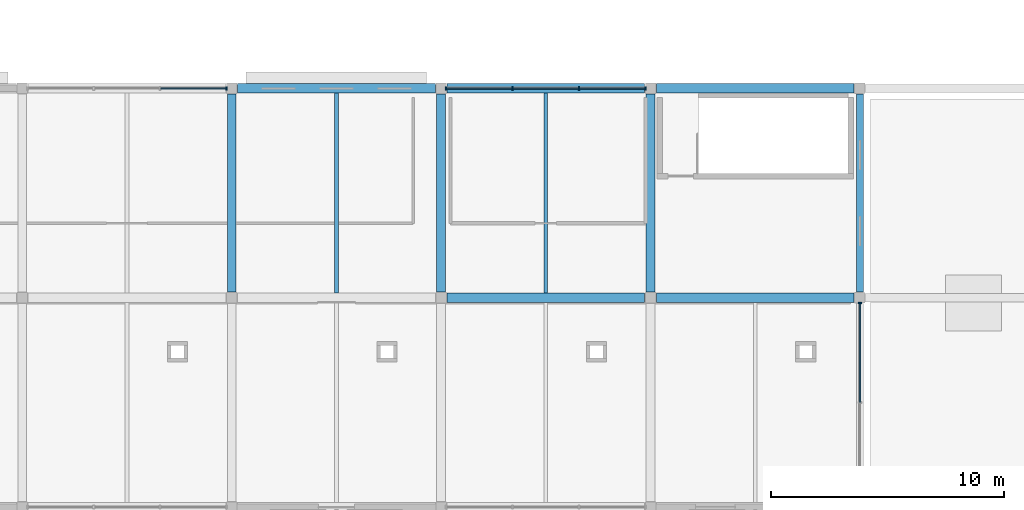
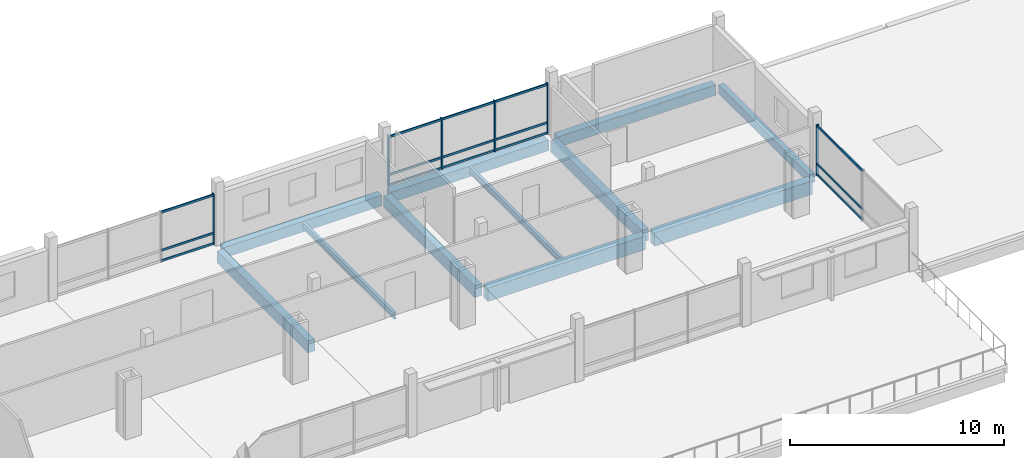
# One storey, part 75 of 163: 21 members, 11 beams, 3 elements without a shape of their own.
"""IFC4 building model written with IfcOpenShell, lengths in metres."""

import ifcopenshell
import ifcopenshell.guid

model = None  # the IFC model being written
_history = None  # IfcOwnerHistory: only IFC2X3 demands one
_inside = {}  # id of a spatial element -> (the spatial element, [elements in it])
_under = {}  # id of a project, library or spatial element -> (it, [spatial elements below it])
_declared = {}  # id of a project -> (the project, [libraries it declares])
_typed = {}  # id of a type object -> (the type object, [elements of that type])
_made_of = {}  # id of a material, layer set ... -> (it, [elements and type objects made of it])


def new_model(schema):
    """Start an empty IFC model of exactly this schema.

    Asked for "IFC4X3", IfcOpenShell would pick the latest addendum, in which some entities
    have other attributes; the version numbers below select the first issue.
    IFC2X3 requires an IfcOwnerHistory on every rooted entity: one is made here for all.
    """
    global model, _history
    if schema == "IFC4X3":
        model = ifcopenshell.file(schema_version=(4, 3, 0, 0))
    else:
        model = ifcopenshell.file(schema=schema)
    _inside.clear()
    _under.clear()
    _declared.clear()
    _typed.clear()
    _made_of.clear()
    _history = None
    if model.schema == "IFC2X3":
        org = make("IfcOrganization", Name="unknown")
        user = make(
            "IfcPersonAndOrganization",
            ThePerson=make("IfcPerson", FamilyName="unknown"),
            TheOrganization=org,
        )
        app = make(
            "IfcApplication",
            ApplicationDeveloper=org,
            Version="unknown",
            ApplicationFullName="unknown",
            ApplicationIdentifier="unknown",
        )
        _history = make(
            "IfcOwnerHistory",
            OwningUser=user,
            OwningApplication=app,
            ChangeAction="ADDED",
            CreationDate=0,
        )
    return model


def make(cls, **values):
    """One entity of the class cls with the attributes given. An attribute that is None is left unset."""
    return model.create_entity(
        cls, **{name: value for name, value in values.items() if value is not None}
    )


def rooted(cls, **values):
    """An entity with a GlobalId (a new one), such as an element, a storey or a relation."""
    return make(cls, GlobalId=ifcopenshell.guid.new(), OwnerHistory=_history, **values)


def si_unit(unit_type, name, prefix=None):
    """IfcSIUnit, for example si_unit("LENGTHUNIT", "METRE", prefix="MILLI")."""
    return make("IfcSIUnit", UnitType=unit_type, Prefix=prefix, Name=name)


def assignment(units):
    """IfcUnitAssignment: the units of a project."""
    return None if units is None else make("IfcUnitAssignment", Units=units)


def point(xyz):
    """IfcCartesianPoint."""
    return None if xyz is None else make("IfcCartesianPoint", Coordinates=xyz)


def direction(xyz):
    """IfcDirection."""
    return None if xyz is None else make("IfcDirection", DirectionRatios=xyz)


def frame(location, z_axis=None, x_axis=None):
    """IfcAxis2Placement3D, a coordinate frame: its origin and axes. An axis left out is left unset."""
    return make(
        "IfcAxis2Placement3D",
        Location=point(location),
        Axis=direction(z_axis),
        RefDirection=direction(x_axis),
    )


def frame_2d(location, x_axis=None):
    """IfcAxis2Placement2D, a coordinate frame in the plane: its origin and x axis."""
    return make(
        "IfcAxis2Placement2D", Location=point(location), RefDirection=direction(x_axis)
    )


def origin():
    """The frame at (0, 0, 0) with its axes left unset."""
    return frame((0.0, 0.0, 0.0))


def origin_2d():
    """The frame at (0, 0) in the plane with its x axis left unset."""
    return frame_2d((0.0, 0.0))


def place(relative_to, where):
    """IfcLocalPlacement: puts the frame where relative to a parent placement (None: the world)."""
    return make(
        "IfcLocalPlacement", PlacementRelTo=relative_to, RelativePlacement=where
    )


def context(
    kind, dimensions, precision=None, world=None, true_north=None, identifier=None
):
    """IfcGeometricRepresentationContext, for example the 3D "Model" context."""
    return make(
        "IfcGeometricRepresentationContext",
        ContextIdentifier=identifier,
        ContextType=kind,
        CoordinateSpaceDimension=dimensions,
        Precision=precision,
        WorldCoordinateSystem=world,
        TrueNorth=true_north,
    )


def subcontext(parent, identifier, kind, view, scale=None):
    """IfcGeometricRepresentationSubContext, for example "Body" below "Model"."""
    return make(
        "IfcGeometricRepresentationSubContext",
        ContextIdentifier=identifier,
        ContextType=kind,
        ParentContext=parent,
        TargetScale=scale,
        TargetView=view,
    )


def project(units=None, contexts=None):
    """IfcProject with its units and contexts."""
    return rooted(
        "IfcProject",
        Name="project",
        RepresentationContexts=contexts,
        UnitsInContext=assignment(units),
    )


def spatial(cls, under=None, at=None, **own):
    """A site, building, storey or space (cls), placed at a placement, below another one or the project."""
    s = rooted(cls, ObjectPlacement=at, **own)
    if under is not None:
        _under.setdefault(under.id(), (under, []))[1].append(s)
    return s


def profile(cls, at=None, kind="AREA", **sizes):
    """A parametric profile (cls). Its sizes go by their IFC names, for example OverallWidth=200.0."""
    return make(cls, ProfileType=kind, Position=at, **sizes)


def rectangle(**sizes):
    """IfcRectangleProfileDef."""
    return profile("IfcRectangleProfileDef", **sizes)


def i_section(**sizes):
    """IfcIShapeProfileDef."""
    return profile("IfcIShapeProfileDef", **sizes)


def extrude(swept, where, along, depth):
    """IfcExtrudedAreaSolid: the profile swept, set in the frame where, extruded along a direction by depth."""
    return make(
        "IfcExtrudedAreaSolid",
        SweptArea=swept,
        Position=where,
        ExtrudedDirection=direction(along),
        Depth=depth,
    )


def shape(context_of_items, identifier, shape_type, items):
    """IfcShapeRepresentation: the items that make up one representation, for example the "Body"."""
    return make(
        "IfcShapeRepresentation",
        ContextOfItems=context_of_items,
        RepresentationIdentifier=identifier,
        RepresentationType=shape_type,
        Items=items,
    )


def material(Name=None, Category=None):
    """IfcMaterial."""
    return make("IfcMaterial", Name=Name, Category=Category)


def material_profile(
    of_material, cross_section, Name=None, Category=None, Priority=None
):
    """IfcMaterialProfile: a cross section and its material."""
    return make(
        "IfcMaterialProfile",
        Name=Name,
        Material=of_material,
        Profile=cross_section,
        Priority=Priority,
        Category=Category,
    )


def profile_set(profiles, Name=None, composite=None):
    """IfcMaterialProfileSet."""
    return make(
        "IfcMaterialProfileSet",
        Name=Name,
        MaterialProfiles=profiles,
        CompositeProfile=composite,
    )


def made_of(thing, what):
    """Note that an element or type object is made of a material, layer set ...; save() writes the relation."""
    if what is not None:
        _made_of.setdefault(what.id(), (what, []))[1].append(thing)
    return thing


def type_object(cls, material=None, **own):
    """A type object (cls), such as IfcWallType, which elements share."""
    return made_of(rooted(cls, **own), material)


def element(
    cls,
    number,
    at=None,
    inside=None,
    cuts=None,
    type_object=None,
    material=None,
    context=None,
    identifier="Body",
    shape_type=None,
    held_by="IfcProductDefinitionShape",
    body=None,
    shapes=None,
    **own,
):
    """One element of the class cls, such as IfcWall. Its Tag is "e" and its number.

    at: its placement. inside: the storey or other place that contains it. cuts: it is an
    opening in that element (IfcRelVoidsElement). A single representation is given by context,
    identifier, shape_type and body (its items); several are given by shapes. held_by: the class
    of the entity that holds the representations. save() writes the other relations.
    """
    e = rooted(cls, Tag="e%d" % number, ObjectPlacement=at, **own)
    if body is not None:
        shapes = [shape(context, identifier, shape_type, body)]
    if shapes is not None:
        e.Representation = make(held_by, Representations=shapes)
    if inside is not None:
        _inside.setdefault(inside.id(), (inside, []))[1].append(e)
    if cuts is not None:
        rooted(
            "IfcRelVoidsElement", RelatingBuildingElement=cuts, RelatedOpeningElement=e
        )
    if type_object is not None:
        _typed.setdefault(type_object.id(), (type_object, []))[1].append(e)
    return made_of(e, material)


def aggregate(whole, parts):
    """IfcRelAggregates: a whole, such as a stair, and the parts it consists of."""
    return rooted("IfcRelAggregates", RelatingObject=whole, RelatedObjects=parts)


def save(model, path):
    """Write the relations noted so far, then the file.

    IfcRelAggregates (storeys below a building ...), IfcRelContainedInSpatialStructure (elements
    in a storey), IfcRelDefinesByType, IfcRelAssociatesMaterial and IfcRelDeclares: one each for
    every whole, place, type object, material and project.
    """
    for whole, parts in _under.values():
        aggregate(whole, parts)
    for where, things in _inside.values():
        rooted(
            "IfcRelContainedInSpatialStructure",
            RelatedElements=things,
            RelatingStructure=where,
        )
    for kind, things in _typed.values():
        rooted("IfcRelDefinesByType", RelatedObjects=things, RelatingType=kind)
    for what, things in _made_of.values():
        rooted("IfcRelAssociatesMaterial", RelatedObjects=things, RelatingMaterial=what)
    for by, libraries in _declared.values():
        rooted("IfcRelDeclares", RelatingContext=by, RelatedDefinitions=libraries)
    model.write(path)


model = new_model("IFC4")

# Units and contexts
model_context = context("Model", 3, precision=1e-05, world=origin(), true_north=direction((0.0, 1.0)))
body_context = subcontext(model_context, "Body", "Model", "MODEL_VIEW")
ifc_project = project(units=[si_unit("LENGTHUNIT", "METRE"), si_unit("AREAUNIT", "SQUARE_METRE"), si_unit("VOLUMEUNIT", "CUBIC_METRE"), si_unit("PLANEANGLEUNIT", "RADIAN"), si_unit("MASSUNIT", "GRAM", prefix="KILO")], contexts=[model_context])

# Site, building, storey
site_placement = place(None, origin())
site = spatial("IfcSite", under=ifc_project, at=site_placement, CompositionType="ELEMENT")
building_placement = place(site_placement, origin())
building = spatial("IfcBuilding", under=site, at=building_placement, Name="Tharagai Park Tramway Depot", CompositionType="ELEMENT")
storey_placement = place(building_placement, frame((0.0, 0.0, 8.39990234375)))
storey = spatial("IfcBuildingStorey", under=building, at=storey_placement, Name="L02", CompositionType="ELEMENT", Elevation=8.39990234375)

# Beams
ifc_material_1 = material(Name="Concrete M35", Category="concrete")
ifc_material_profile_1 = material_profile(ifc_material_1, rectangle(XDim=0.3798828125, YDim=0.679931640625, at=origin_2d()), Name="RC 380x680")
ifc_profile_set_1 = profile_set([ifc_material_profile_1], Name="Concrete M35")
beam_type_1 = type_object("IfcBeamType", Name="BM-12", PredefinedType="BEAM", material=ifc_profile_set_1)
for number, where, z_axis, x_axis, name in (
    (1, (162.0, 18.25, -0.56982421875), (0.0, 1.0, 0.0), (-1.0, 0.0, 0.0), "L02 Grid Beam BM-12"),
    (2, (171.0, 18.25, -0.56982421875), (0.0, 1.0, 0.0), (-1.0, 0.0, 0.0), "L02 Grid Beam BM-12"),
    (3, (180.0, 18.25, -0.56982421875), (0.0, 1.0, 0.0), (-1.0, 0.0, 0.0), "L02 Grid Beam BM-12"),
):
    element("IfcBeam", number, at=place(storey_placement, frame(where, z_axis=z_axis, x_axis=x_axis)), inside=storey, type_object=beam_type_1, Name=name, PredefinedType="BEAM", context=body_context, shape_type="SweptSolid", body=[
        extrude(rectangle(XDim=0.3798828125, YDim=0.679931640625, at=origin_2d()), origin(), (0.0, 0.0, 1.0), 8.5),
    ])
ifc_material_profile_2 = material_profile(ifc_material_1, rectangle(XDim=0.419921875, YDim=0.780029296875, at=origin_2d()), Name="RC 420x780")
ifc_profile_set_2 = profile_set([ifc_material_profile_2], Name="Concrete M35")
beam_type_2 = type_object("IfcBeamType", Name="BM-16", PredefinedType="BEAM", material=ifc_profile_set_2)
for number, where, z_axis, x_axis, name in (
    (4, (171.25, 18.0, -0.619873046875), (1.0, 0.0, 0.0), (0.0, 1.0, 0.0), "L02 Grid Beam BM-16"),
    (5, (180.25, 18.0, -0.619873046875), (1.0, 0.0, 0.0), (0.0, 1.0, 0.0), "L02 Grid Beam BM-16"),
):
    element("IfcBeam", number, at=place(storey_placement, frame(where, z_axis=z_axis, x_axis=x_axis)), inside=storey, type_object=beam_type_2, Name=name, PredefinedType="BEAM", context=body_context, shape_type="SweptSolid", body=[
        extrude(rectangle(XDim=0.419921875, YDim=0.780029296875, at=origin_2d()), origin(), (0.0, 0.0, 1.0), 8.5),
    ])

# Curtain wall, members
ifc_material_2 = material(Name="Anodised aluminium", Category="aluminium")
curtain_wall_type_1 = type_object("IfcCurtainWallType", Name="CW-02", PredefinedType="NOTDEFINED", material=ifc_material_2)
curtain_wall_1_placement = place(storey_placement, origin())
curtain_wall_1 = element("IfcCurtainWall", 6, at=curtain_wall_1_placement, inside=storey, type_object=curtain_wall_type_1, Name="L02 V5 Gothic Mullioned Curtain Wall CW-02", PredefinedType="NOTDEFINED")
ifc_material_profile_3 = material_profile(ifc_material_2, rectangle(XDim=0.06494140625, YDim=0.1201171875, at=origin_2d()), Name="ALU 65x120")
ifc_profile_set_3 = profile_set([ifc_material_profile_3], Name="Anodised aluminium")
member_type_1 = type_object("IfcMemberType", Name="CM-01", PredefinedType="USERDEFINED", material=ifc_profile_set_3)
member_1_placement = place(storey_placement, frame((158.943359375, 27.0, 0.06005859375), z_axis=(1.0, 0.0, 0.0), x_axis=(0.0, 1.0, 0.0)))
member_1 = element("IfcMember", 7, at=member_1_placement, type_object=member_type_1, Name="L02 V5 Gothic Mullioned Curtain Wall Transom 3.1", ObjectType="TRANSOM", PredefinedType="USERDEFINED", context=body_context, shape_type="SweptSolid", body=[
    extrude(rectangle(XDim=0.06494140625, YDim=0.1201171875, at=origin_2d()), origin(), (0.0, 0.0, 1.0), 2.82666015625),
])
member_2_placement = place(storey_placement, frame((158.943359375, 27.0, 0.650146484375), z_axis=(1.0, 0.0, 0.0), x_axis=(0.0, 1.0, 0.0)))
member_2 = element("IfcMember", 8, at=member_2_placement, type_object=member_type_1, Name="L02 V5 Gothic Mullioned Curtain Wall Transom 3.2", ObjectType="TRANSOM", PredefinedType="USERDEFINED", context=body_context, shape_type="SweptSolid", body=[
    extrude(rectangle(XDim=0.06494140625, YDim=0.1201171875, at=origin_2d()), origin(), (0.0, 0.0, 1.0), 2.82666015625),
])
member_3_placement = place(storey_placement, frame((158.943359375, 27.0, 2.820068359375), z_axis=(1.0, 0.0, 0.0), x_axis=(0.0, 1.0, 0.0)))
member_3 = element("IfcMember", 9, at=member_3_placement, type_object=member_type_1, Name="L02 V5 Gothic Mullioned Curtain Wall Transom 3.3", ObjectType="TRANSOM", PredefinedType="USERDEFINED", context=body_context, shape_type="SweptSolid", body=[
    extrude(rectangle(XDim=0.06494140625, YDim=0.1201171875, at=origin_2d()), origin(), (0.0, 0.0, 1.0), 2.82666015625),
])

curtain_wall_2_placement = place(storey_placement, origin())
curtain_wall_2 = element("IfcCurtainWall", 10, at=curtain_wall_2_placement, inside=storey, type_object=curtain_wall_type_1, Name="L02 V5 Gothic Mullioned Curtain Wall CW-02", PredefinedType="NOTDEFINED")
member_4_placement = place(storey_placement, frame((171.22998046875, 27.0, 0.06005859375), z_axis=(1.0, 0.0, 0.0), x_axis=(0.0, 1.0, 0.0)))
member_4 = element("IfcMember", 11, at=member_4_placement, type_object=member_type_1, Name="L02 V5 Gothic Mullioned Curtain Wall Transom 1.1", ObjectType="TRANSOM", PredefinedType="USERDEFINED", context=body_context, shape_type="SweptSolid", body=[
    extrude(rectangle(XDim=0.06494140625, YDim=0.1201171875, at=origin_2d()), origin(), (0.0, 0.0, 1.0), 2.82666015625),
])
member_5_placement = place(storey_placement, frame((171.22998046875, 27.0, 0.650146484375), z_axis=(1.0, 0.0, 0.0), x_axis=(0.0, 1.0, 0.0)))
member_5 = element("IfcMember", 12, at=member_5_placement, type_object=member_type_1, Name="L02 V5 Gothic Mullioned Curtain Wall Transom 1.2", ObjectType="TRANSOM", PredefinedType="USERDEFINED", context=body_context, shape_type="SweptSolid", body=[
    extrude(rectangle(XDim=0.06494140625, YDim=0.1201171875, at=origin_2d()), origin(), (0.0, 0.0, 1.0), 2.82666015625),
])
member_6_placement = place(storey_placement, frame((171.22998046875, 27.0, 2.820068359375), z_axis=(1.0, 0.0, 0.0), x_axis=(0.0, 1.0, 0.0)))
member_6 = element("IfcMember", 13, at=member_6_placement, type_object=member_type_1, Name="L02 V5 Gothic Mullioned Curtain Wall Transom 1.3", ObjectType="TRANSOM", PredefinedType="USERDEFINED", context=body_context, shape_type="SweptSolid", body=[
    extrude(rectangle(XDim=0.06494140625, YDim=0.1201171875, at=origin_2d()), origin(), (0.0, 0.0, 1.0), 2.82666015625),
])
member_7_placement = place(storey_placement, frame((174.086669921875, 27.0, 0.06005859375), z_axis=(1.0, 0.0, 0.0), x_axis=(0.0, 1.0, 0.0)))
member_7 = element("IfcMember", 14, at=member_7_placement, type_object=member_type_1, Name="L02 V5 Gothic Mullioned Curtain Wall Transom 2.1", ObjectType="TRANSOM", PredefinedType="USERDEFINED", context=body_context, shape_type="SweptSolid", body=[
    extrude(rectangle(XDim=0.06494140625, YDim=0.1201171875, at=origin_2d()), origin(), (0.0, 0.0, 1.0), 2.82666015625),
])
member_8_placement = place(storey_placement, frame((174.086669921875, 27.0, 0.650146484375), z_axis=(1.0, 0.0, 0.0), x_axis=(0.0, 1.0, 0.0)))
member_8 = element("IfcMember", 15, at=member_8_placement, type_object=member_type_1, Name="L02 V5 Gothic Mullioned Curtain Wall Transom 2.2", ObjectType="TRANSOM", PredefinedType="USERDEFINED", context=body_context, shape_type="SweptSolid", body=[
    extrude(rectangle(XDim=0.06494140625, YDim=0.1201171875, at=origin_2d()), origin(), (0.0, 0.0, 1.0), 2.82666015625),
])
member_9_placement = place(storey_placement, frame((174.086669921875, 27.0, 2.820068359375), z_axis=(1.0, 0.0, 0.0), x_axis=(0.0, 1.0, 0.0)))
member_9 = element("IfcMember", 16, at=member_9_placement, type_object=member_type_1, Name="L02 V5 Gothic Mullioned Curtain Wall Transom 2.3", ObjectType="TRANSOM", PredefinedType="USERDEFINED", context=body_context, shape_type="SweptSolid", body=[
    extrude(rectangle(XDim=0.06494140625, YDim=0.1201171875, at=origin_2d()), origin(), (0.0, 0.0, 1.0), 2.82666015625),
])
member_10_placement = place(storey_placement, frame((176.943359375, 27.0, 0.06005859375), z_axis=(1.0, 0.0, 0.0), x_axis=(0.0, 1.0, 0.0)))
member_10 = element("IfcMember", 17, at=member_10_placement, type_object=member_type_1, Name="L02 V5 Gothic Mullioned Curtain Wall Transom 3.1", ObjectType="TRANSOM", PredefinedType="USERDEFINED", context=body_context, shape_type="SweptSolid", body=[
    extrude(rectangle(XDim=0.06494140625, YDim=0.1201171875, at=origin_2d()), origin(), (0.0, 0.0, 1.0), 2.82666015625),
])
member_11_placement = place(storey_placement, frame((176.943359375, 27.0, 0.650146484375), z_axis=(1.0, 0.0, 0.0), x_axis=(0.0, 1.0, 0.0)))
member_11 = element("IfcMember", 18, at=member_11_placement, type_object=member_type_1, Name="L02 V5 Gothic Mullioned Curtain Wall Transom 3.2", ObjectType="TRANSOM", PredefinedType="USERDEFINED", context=body_context, shape_type="SweptSolid", body=[
    extrude(rectangle(XDim=0.06494140625, YDim=0.1201171875, at=origin_2d()), origin(), (0.0, 0.0, 1.0), 2.82666015625),
])
member_12_placement = place(storey_placement, frame((176.943359375, 27.0, 2.820068359375), z_axis=(1.0, 0.0, 0.0), x_axis=(0.0, 1.0, 0.0)))
member_12 = element("IfcMember", 19, at=member_12_placement, type_object=member_type_1, Name="L02 V5 Gothic Mullioned Curtain Wall Transom 3.3", ObjectType="TRANSOM", PredefinedType="USERDEFINED", context=body_context, shape_type="SweptSolid", body=[
    extrude(rectangle(XDim=0.06494140625, YDim=0.1201171875, at=origin_2d()), origin(), (0.0, 0.0, 1.0), 2.82666015625),
])

curtain_wall_type_2 = type_object("IfcCurtainWallType", Name="CW-07", PredefinedType="NOTDEFINED", material=ifc_material_2)
curtain_wall_3_placement = place(storey_placement, origin())
curtain_wall_3 = element("IfcCurtainWall", 20, at=curtain_wall_3_placement, inside=storey, type_object=curtain_wall_type_2, Name="L02 V5 Side Mullioned Curtain Wall CW-07", PredefinedType="NOTDEFINED")
member_13_placement = place(storey_placement, frame((189.0, 13.514892578125, 0.06005859375), z_axis=(0.0, 1.0, 0.0), x_axis=(-1.0, 0.0, 0.0)))
member_13 = element("IfcMember", 21, at=member_13_placement, type_object=member_type_1, Name="L02 V5 Side Mullioned Curtain Wall Transom 2.1", ObjectType="TRANSOM", PredefinedType="USERDEFINED", context=body_context, shape_type="SweptSolid", body=[
    extrude(rectangle(XDim=0.06494140625, YDim=0.1201171875, at=origin_2d()), origin(), (0.0, 0.0, 1.0), 4.255126953125),
])
member_14_placement = place(storey_placement, frame((189.0, 13.514892578125, 0.650146484375), z_axis=(0.0, 1.0, 0.0), x_axis=(-1.0, 0.0, 0.0)))
member_14 = element("IfcMember", 22, at=member_14_placement, type_object=member_type_1, Name="L02 V5 Side Mullioned Curtain Wall Transom 2.2", ObjectType="TRANSOM", PredefinedType="USERDEFINED", context=body_context, shape_type="SweptSolid", body=[
    extrude(rectangle(XDim=0.06494140625, YDim=0.1201171875, at=origin_2d()), origin(), (0.0, 0.0, 1.0), 4.255126953125),
])
member_15_placement = place(storey_placement, frame((189.0, 13.514892578125, 2.820068359375), z_axis=(0.0, 1.0, 0.0), x_axis=(-1.0, 0.0, 0.0)))
member_15 = element("IfcMember", 23, at=member_15_placement, type_object=member_type_1, Name="L02 V5 Side Mullioned Curtain Wall Transom 2.3", ObjectType="TRANSOM", PredefinedType="USERDEFINED", context=body_context, shape_type="SweptSolid", body=[
    extrude(rectangle(XDim=0.06494140625, YDim=0.1201171875, at=origin_2d()), origin(), (0.0, 0.0, 1.0), 4.255126953125),
])

# Member
ifc_material_profile_4 = material_profile(ifc_material_2, rectangle(XDim=0.06494140625, YDim=0.14990234375, at=origin_2d()), Name="ALU 65x150")
ifc_profile_set_4 = profile_set([ifc_material_profile_4], Name="Anodised aluminium")
member_type_2 = type_object("IfcMemberType", Name="CM-03", PredefinedType="MULLION", material=ifc_profile_set_4)
member_16_placement = place(storey_placement, frame((161.784912109375, 27.0, -0.0048828125), z_axis=(0.0, 0.0, 1.0), x_axis=(1.0, 0.0, 0.0)))
member_16 = element("IfcMember", 24, at=member_16_placement, type_object=member_type_2, Name="L02 V5 Gothic Mullioned Curtain Wall Mullion 4", PredefinedType="MULLION", context=body_context, shape_type="SweptSolid", body=[
    extrude(rectangle(XDim=0.06494140625, YDim=0.14990234375, at=origin_2d()), origin(), (0.0, 0.0, 1.0), 2.909912109375),
])

aggregate(curtain_wall_1, [member_16, member_1, member_2, member_3])

member_17_placement = place(storey_placement, frame((171.215087890625, 27.0, -0.0048828125), z_axis=(0.0, 0.0, 1.0), x_axis=(1.0, 0.0, 0.0)))
member_17 = element("IfcMember", 25, at=member_17_placement, type_object=member_type_2, Name="L02 V5 Gothic Mullioned Curtain Wall Mullion 1", PredefinedType="MULLION", context=body_context, shape_type="SweptSolid", body=[
    extrude(rectangle(XDim=0.06494140625, YDim=0.14990234375, at=origin_2d()), origin(), (0.0, 0.0, 1.0), 2.909912109375),
])

member_18_placement = place(storey_placement, frame((174.07177734375, 27.0, -0.0048828125), z_axis=(0.0, 0.0, 1.0), x_axis=(1.0, 0.0, 0.0)))
member_18 = element("IfcMember", 26, at=member_18_placement, type_object=member_type_2, Name="L02 V5 Gothic Mullioned Curtain Wall Mullion 2", PredefinedType="MULLION", context=body_context, shape_type="SweptSolid", body=[
    extrude(rectangle(XDim=0.06494140625, YDim=0.14990234375, at=origin_2d()), origin(), (0.0, 0.0, 1.0), 2.909912109375),
])

member_19_placement = place(storey_placement, frame((176.92822265625, 27.0, -0.0048828125), z_axis=(0.0, 0.0, 1.0), x_axis=(1.0, 0.0, 0.0)))
member_19 = element("IfcMember", 27, at=member_19_placement, type_object=member_type_2, Name="L02 V5 Gothic Mullioned Curtain Wall Mullion 3", PredefinedType="MULLION", context=body_context, shape_type="SweptSolid", body=[
    extrude(rectangle(XDim=0.06494140625, YDim=0.14990234375, at=origin_2d()), origin(), (0.0, 0.0, 1.0), 2.909912109375),
])

member_20_placement = place(storey_placement, frame((179.784912109375, 27.0, -0.0048828125), z_axis=(0.0, 0.0, 1.0), x_axis=(1.0, 0.0, 0.0)))
member_20 = element("IfcMember", 28, at=member_20_placement, type_object=member_type_2, Name="L02 V5 Gothic Mullioned Curtain Wall Mullion 4", PredefinedType="MULLION", context=body_context, shape_type="SweptSolid", body=[
    extrude(rectangle(XDim=0.06494140625, YDim=0.14990234375, at=origin_2d()), origin(), (0.0, 0.0, 1.0), 2.909912109375),
])

aggregate(curtain_wall_2, [member_17, member_18, member_19, member_20, member_4, member_5, member_6, member_7, member_8, member_9, member_10, member_11, member_12])

member_21_placement = place(storey_placement, frame((189.0, 17.784912109375, -0.0048828125), z_axis=(0.0, 0.0, 1.0), x_axis=(0.0, 1.0, 0.0)))
member_21 = element("IfcMember", 29, at=member_21_placement, type_object=member_type_2, Name="L02 V5 Side Mullioned Curtain Wall Mullion 3", PredefinedType="MULLION", context=body_context, shape_type="SweptSolid", body=[
    extrude(rectangle(XDim=0.06494140625, YDim=0.14990234375, at=origin_2d()), origin(), (0.0, 0.0, 1.0), 2.909912109375),
])

aggregate(curtain_wall_3, [member_21, member_13, member_14, member_15])

# Beams
ifc_material_3 = material(Name="Steel E350", Category="steel")
ifc_material_profile_5 = material_profile(ifc_material_3, i_section(OverallWidth=0.1650390625, OverallDepth=0.35009765625, WebThickness=0.00732421875, FlangeThickness=0.011474609375, FilletRadius=0.013916015625, at=origin_2d()), Name="ISLB 350")
ifc_profile_set_5 = profile_set([ifc_material_profile_5], Name="Steel E350")
beam_type_3 = type_object("IfcBeamType", Name="JT-05", PredefinedType="JOIST", material=ifc_profile_set_5)
for number, where, z_axis, x_axis, name in (
    (30, (166.5, 18.2099609375, -0.40478515625), (0.0, 1.0, 0.0), (-1.0, 0.0, 0.0), "L02 Secondary Joist JT-05"),
    (31, (175.5, 18.2099609375, -0.40478515625), (0.0, 1.0, 0.0), (-1.0, 0.0, 0.0), "L02 Secondary Joist JT-05"),
):
    element("IfcBeam", number, at=place(storey_placement, frame(where, z_axis=z_axis, x_axis=x_axis)), inside=storey, type_object=beam_type_3, Name=name, PredefinedType="JOIST", context=body_context, shape_type="SweptSolid", body=[
        extrude(i_section(OverallWidth=0.1650390625, OverallDepth=0.35009765625, WebThickness=0.00732421875, FlangeThickness=0.011474609375, FilletRadius=0.013916015625, at=origin_2d()), origin(), (0.0, 0.0, 1.0), 8.590087890625),
    ])
ifc_material_profile_6 = material_profile(ifc_material_1, rectangle(XDim=0.39990234375, YDim=0.60009765625, at=origin_2d()), Name="RC 400x600")
ifc_profile_set_6 = profile_set([ifc_material_profile_6], Name="Concrete M35")
beam_type_4 = type_object("IfcBeamType", Name="SP-02", PredefinedType="SPANDREL", material=ifc_profile_set_6)
for number, where, z_axis, x_axis, name in (
    (32, (162.25, 27.0, -0.52978515625), (1.0, 0.0, 0.0), (0.0, 1.0, 0.0), "L02 Grid Beam SP-02"),
    (33, (171.25, 27.0, -0.52978515625), (1.0, 0.0, 0.0), (0.0, 1.0, 0.0), "L02 Grid Beam SP-02"),
    (34, (180.25, 27.0, -0.52978515625), (1.0, 0.0, 0.0), (0.0, 1.0, 0.0), "L02 Grid Beam SP-02"),
):
    element("IfcBeam", number, at=place(storey_placement, frame(where, z_axis=z_axis, x_axis=x_axis)), inside=storey, type_object=beam_type_4, Name=name, PredefinedType="SPANDREL", context=body_context, shape_type="SweptSolid", body=[
        extrude(rectangle(XDim=0.39990234375, YDim=0.60009765625, at=origin_2d()), origin(), (0.0, 0.0, 1.0), 8.5),
    ])
ifc_material_profile_7 = material_profile(ifc_material_1, rectangle(XDim=0.300048828125, YDim=0.5, at=origin_2d()), Name="RC 300x500")
ifc_profile_set_7 = profile_set([ifc_material_profile_7], Name="Concrete M35")
beam_type_5 = type_object("IfcBeamType", Name="SP-03", PredefinedType="SPANDREL", material=ifc_profile_set_7)
beam_placement = place(storey_placement, frame((189.0, 18.25, -0.47998046875), z_axis=(0.0, 1.0, 0.0), x_axis=(-1.0, 0.0, 0.0)))
element("IfcBeam", 35, at=beam_placement, inside=storey, type_object=beam_type_5, Name="L02 Grid Beam SP-03", PredefinedType="SPANDREL", context=body_context, shape_type="SweptSolid", body=[
    extrude(rectangle(XDim=0.300048828125, YDim=0.5, at=origin_2d()), origin(), (0.0, 0.0, 1.0), 8.5),
])

save(model, "model.ifc")
